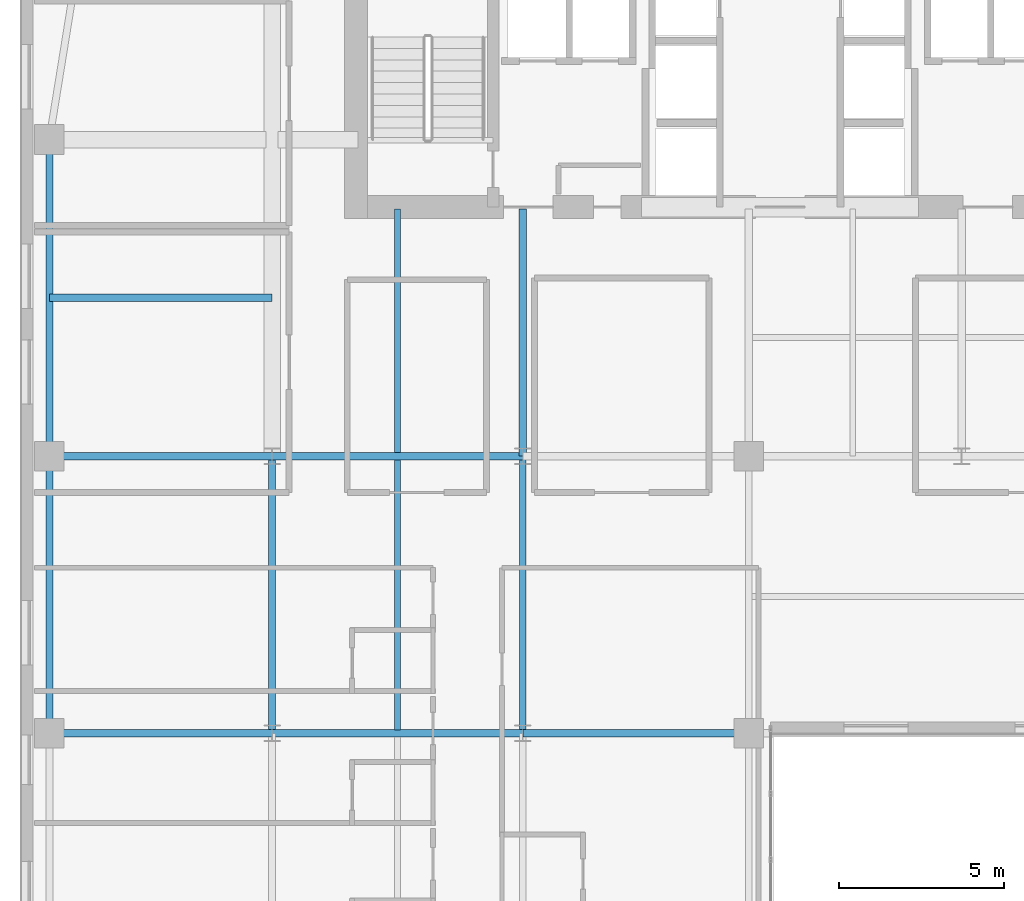
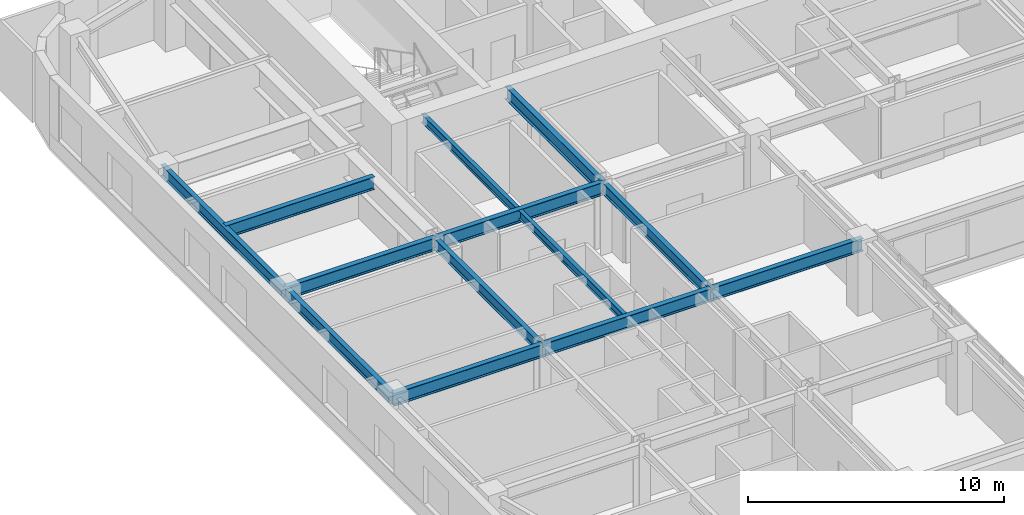
# One storey, part 4 of 25: 13 beams.
"""IFC4 building model written with IfcOpenShell, lengths in metres."""

from ifc_helpers import new_model, si_unit, direction, frame, origin, origin_2d, place, context, subcontext, project, spatial, i_section, extrude, source, transform, mapped, material, material_profile, profile_set, type_object, type_shapes, element, save


model = new_model("IFC4")

# Units and contexts
model_context = context("Model", 3, precision=1e-05, world=origin(), true_north=direction((0.0, 1.0)))
body_context = subcontext(model_context, "Body", "Model", "MODEL_VIEW")
ifc_project = project(units=[si_unit("LENGTHUNIT", "METRE"), si_unit("AREAUNIT", "SQUARE_METRE"), si_unit("VOLUMEUNIT", "CUBIC_METRE"), si_unit("PLANEANGLEUNIT", "RADIAN"), si_unit("MASSUNIT", "GRAM", prefix="KILO")], contexts=[model_context])

# Site, building, storey
site_placement = place(None, origin())
site = spatial("IfcSite", under=ifc_project, at=site_placement, CompositionType="ELEMENT")
building_placement = place(site_placement, origin())
building = spatial("IfcBuilding", under=site, at=building_placement, Name="Tolvann Quenvar Hotel", CompositionType="ELEMENT")
storey_placement = place(building_placement, frame((0.0, 0.0, 111.550048828125)))
storey = spatial("IfcBuildingStorey", under=building, at=storey_placement, Name="L28", CompositionType="ELEMENT", Elevation=111.550048828125)

# Beams
ifc_material = material(Name="Steel Grade 350", Category="steel")
ifc_material_profile_1 = material_profile(ifc_material, i_section(OverallWidth=0.22900390625, OverallDepth=0.612060546875, WebThickness=0.011962890625, FlangeThickness=0.01953125, FilletRadius=0.013916015625, at=origin_2d()), Name="610UB125")
ifc_profile_set_1 = profile_set([ifc_material_profile_1], Name="Steel Grade 350")
beam_type_1 = type_object("IfcBeamType", Name="BM_GIRD_610UB125", PredefinedType="BEAM", material=ifc_profile_set_1)
shared_shape_1 = source(origin(), body_context, "Body", "SweptSolid", [
    extrude(i_section(OverallWidth=0.22900390625, OverallDepth=0.612060546875, WebThickness=0.011962890625, FlangeThickness=0.01953125, FilletRadius=0.013916015625, at=origin_2d()), origin(), (0.0, 0.0, 1.0), 6.75),
])
for number, where, z_axis, x_axis, name in (
    (1, (0.85009765625, 16.0, 3.06396484375), (1.0, 0.0, 0.0), (0.0, 1.0, 0.0), "BM-L28-EW-4-B4-C4"),
    (2, (0.85009765625, 24.39990234375, 3.06396484375), (1.0, 0.0, 0.0), (0.0, 1.0, 0.0), "BM-L28-EW-5-B5-C5"),
    (3, (0.85009765625, 29.199951171875, 3.06396484375), (1.0, 0.0, 0.0), (0.0, 1.0, 0.0), "BM-L28-EW-BC29"),
):
    element("IfcBeam", number, at=place(storey_placement, frame(where, z_axis=z_axis, x_axis=x_axis)), inside=storey, type_object=beam_type_1, Name=name, PredefinedType="BEAM", context=body_context, shape_type="MappedRepresentation", body=[
        mapped(shared_shape_1, transform((0.0, 0.0, 0.0), x_axis=(1.0, 0.0, 0.0), y_axis=(0.0, 1.0, 0.0), z_axis=(0.0, 0.0, 1.0), scale=1.0)),
    ])
shared_shape_2 = source(origin(), body_context, "Body", "SweptSolid", [
    extrude(i_section(OverallWidth=0.22900390625, OverallDepth=0.612060546875, WebThickness=0.011962890625, FlangeThickness=0.01953125, FilletRadius=0.013916015625, at=origin_2d()), origin(), (0.0, 0.0, 1.0), 7.599853515625),
])
for number, where, z_axis, x_axis, name in (
    (4, (7.60009765625, 16.0, 3.06396484375), (1.0, 0.0, 0.0), (0.0, 1.0, 0.0), "BM-L28-EW-4-C4-D4"),
    (5, (7.60009765625, 24.39990234375, 3.06396484375), (1.0, 0.0, 0.0), (0.0, 1.0, 0.0), "BM-L28-EW-5-C5-D5"),
):
    element("IfcBeam", number, at=place(storey_placement, frame(where, z_axis=z_axis, x_axis=x_axis)), inside=storey, type_object=beam_type_1, Name=name, PredefinedType="BEAM", context=body_context, shape_type="MappedRepresentation", body=[
        mapped(shared_shape_2, transform((0.0, 0.0, 0.0), x_axis=(1.0, 0.0, 0.0), y_axis=(0.0, 1.0, 0.0), z_axis=(0.0, 0.0, 1.0), scale=1.0)),
    ])
shared_shape_3 = source(origin(), body_context, "Body", "SweptSolid", [
    extrude(i_section(OverallWidth=0.22900390625, OverallDepth=0.612060546875, WebThickness=0.011962890625, FlangeThickness=0.01953125, FilletRadius=0.013916015625, at=origin_2d()), origin(), (0.0, 0.0, 1.0), 6.85009765625),
])
beam_1_placement = place(storey_placement, frame((15.199951171875, 16.0, 3.06396484375), z_axis=(1.0, 0.0, 0.0), x_axis=(0.0, 1.0, 0.0)))
element("IfcBeam", 6, at=beam_1_placement, inside=storey, type_object=beam_type_1, Name="BM-L28-EW-4-D4-E4", PredefinedType="BEAM", context=body_context, shape_type="MappedRepresentation", body=[
    mapped(shared_shape_3, transform((0.0, 0.0, 0.0), x_axis=(1.0, 0.0, 0.0), y_axis=(0.0, 1.0, 0.0), z_axis=(0.0, 0.0, 1.0), scale=1.0)),
])
ifc_material_profile_2 = material_profile(ifc_material, i_section(OverallWidth=0.208984375, OverallDepth=0.528076171875, WebThickness=0.009521484375, FlangeThickness=0.01318359375, FilletRadius=0.013916015625, at=origin_2d()), Name="530UB82")
ifc_profile_set_2 = profile_set([ifc_material_profile_2], Name="Steel Grade 350")
beam_type_2 = type_object("IfcBeamType", Name="BM_SPAND_530UB82", PredefinedType="SPANDREL", material=ifc_profile_set_2)
shared_shape_4 = source(origin(), body_context, "Body", "SweptSolid", [
    extrude(i_section(OverallWidth=0.208984375, OverallDepth=0.528076171875, WebThickness=0.009521484375, FlangeThickness=0.01318359375, FilletRadius=0.013916015625, at=origin_2d()), origin(), (0.0, 0.0, 1.0), 8.39990234375),
])
beam_2_placement = place(storey_placement, frame((0.85009765625, 16.0, 3.10595703125), z_axis=(0.0, 1.0, 0.0), x_axis=(-1.0, 0.0, 0.0)))
element("IfcBeam", 7, at=beam_2_placement, inside=storey, type_object=beam_type_2, Name="BM-L28-NS-B4-B5", PredefinedType="SPANDREL", context=body_context, shape_type="MappedRepresentation", body=[
    mapped(shared_shape_4, transform((0.0, 0.0, 0.0), x_axis=(1.0, 0.0, 0.0), y_axis=(0.0, 1.0, 0.0), z_axis=(0.0, 0.0, 1.0), scale=1.0)),
])
ifc_material_profile_3 = material_profile(ifc_material, i_section(OverallWidth=0.208984375, OverallDepth=0.532958984375, WebThickness=0.01025390625, FlangeThickness=0.015625, FilletRadius=0.013916015625, at=origin_2d()), Name="530UB92")
ifc_profile_set_3 = profile_set([ifc_material_profile_3], Name="Steel Grade 350")
beam_type_3 = type_object("IfcBeamType", Name="BM_GIRD_530UB92", PredefinedType="BEAM", material=ifc_profile_set_3)
shared_shape_5 = source(origin(), body_context, "Body", "SweptSolid", [
    extrude(i_section(OverallWidth=0.208984375, OverallDepth=0.532958984375, WebThickness=0.01025390625, FlangeThickness=0.015625, FilletRadius=0.013916015625, at=origin_2d()), origin(), (0.0, 0.0, 1.0), 8.39990234375),
])
type_shapes(beam_type_3, [shared_shape_5])
for number, where, z_axis, x_axis, name in (
    (8, (7.60009765625, 16.0, 3.103515625), (0.0, 1.0, 0.0), (-1.0, 0.0, 0.0), "BM-L28-NS-C4-C5"),
    (9, (15.199951171875, 16.0, 3.103515625), (0.0, 1.0, 0.0), (-1.0, 0.0, 0.0), "BM-L28-NS-D4-D5"),
):
    element("IfcBeam", number, at=place(storey_placement, frame(where, z_axis=z_axis, x_axis=x_axis)), inside=storey, type_object=beam_type_3, Name=name, PredefinedType="BEAM", context=body_context, shape_type="MappedRepresentation", body=[
        mapped(shared_shape_5, transform((0.0, 0.0, 0.0), x_axis=(1.0, 0.0, 0.0), y_axis=(0.0, 1.0, 0.0), z_axis=(0.0, 0.0, 1.0), scale=1.0)),
    ])
shared_shape_6 = source(origin(), body_context, "Body", "SweptSolid", [
    extrude(i_section(OverallWidth=0.22900390625, OverallDepth=0.612060546875, WebThickness=0.011962890625, FlangeThickness=0.01953125, FilletRadius=0.013916015625, at=origin_2d()), origin(), (0.0, 0.0, 1.0), 7.5),
])
type_shapes(beam_type_1, [shared_shape_1, shared_shape_2, shared_shape_3, shared_shape_6])
beam_3_placement = place(storey_placement, frame((15.199951171875, 24.39990234375, 3.06396484375), z_axis=(0.0, 1.0, 0.0), x_axis=(-1.0, 0.0, 0.0)))
element("IfcBeam", 10, at=beam_3_placement, inside=storey, type_object=beam_type_1, Name="BM-L28-CORE-D5", PredefinedType="BEAM", context=body_context, shape_type="MappedRepresentation", body=[
    mapped(shared_shape_6, transform((0.0, 0.0, 0.0), x_axis=(1.0, 0.0, 0.0), y_axis=(0.0, 1.0, 0.0), z_axis=(0.0, 0.0, 1.0), scale=1.0)),
])
shared_shape_7 = source(origin(), body_context, "Body", "SweptSolid", [
    extrude(i_section(OverallWidth=0.208984375, OverallDepth=0.528076171875, WebThickness=0.009521484375, FlangeThickness=0.01318359375, FilletRadius=0.013916015625, at=origin_2d()), origin(), (0.0, 0.0, 1.0), 9.60009765625),
])
type_shapes(beam_type_2, [shared_shape_4, shared_shape_7])
beam_4_placement = place(storey_placement, frame((0.85009765625, 24.39990234375, 3.10595703125), z_axis=(0.0, 1.0, 0.0), x_axis=(-1.0, 0.0, 0.0)))
element("IfcBeam", 11, at=beam_4_placement, inside=storey, type_object=beam_type_2, Name="BM-L28-FLK-W1", PredefinedType="SPANDREL", context=body_context, shape_type="MappedRepresentation", body=[
    mapped(shared_shape_7, transform((0.0, 0.0, 0.0), x_axis=(1.0, 0.0, 0.0), y_axis=(0.0, 1.0, 0.0), z_axis=(0.0, 0.0, 1.0), scale=1.0)),
])
ifc_material_profile_4 = material_profile(ifc_material, i_section(OverallWidth=0.177978515625, OverallDepth=0.406005859375, WebThickness=0.0078125, FlangeThickness=0.0126953125, FilletRadius=0.011474609375, at=origin_2d()), Name="410UB60")
ifc_profile_set_4 = profile_set([ifc_material_profile_4], Name="Steel Grade 350")
beam_type_4 = type_object("IfcBeamType", Name="BM_JOIST_410UB60", PredefinedType="JOIST", material=ifc_profile_set_4)
shared_shape_8 = source(origin(), body_context, "Body", "SweptSolid", [
    extrude(i_section(OverallWidth=0.177978515625, OverallDepth=0.406005859375, WebThickness=0.0078125, FlangeThickness=0.0126953125, FilletRadius=0.011474609375, at=origin_2d()), origin(), (0.0, 0.0, 1.0), 8.18310546875),
])
beam_5_placement = place(storey_placement, frame((11.39990234375, 16.1083984375, 3.1669921875), z_axis=(0.0, 1.0, 0.0), x_axis=(-1.0, 0.0, 0.0)))
element("IfcBeam", 12, at=beam_5_placement, inside=storey, type_object=beam_type_4, Name="BJ-L28-114-160", PredefinedType="JOIST", context=body_context, shape_type="MappedRepresentation", body=[
    mapped(shared_shape_8, transform((0.0, 0.0, 0.0), x_axis=(1.0, 0.0, 0.0), y_axis=(0.0, 1.0, 0.0), z_axis=(0.0, 0.0, 1.0), scale=1.0)),
])
shared_shape_9 = source(origin(), body_context, "Body", "SweptSolid", [
    extrude(i_section(OverallWidth=0.177978515625, OverallDepth=0.406005859375, WebThickness=0.0078125, FlangeThickness=0.0126953125, FilletRadius=0.011474609375, at=origin_2d()), origin(), (0.0, 0.0, 1.0), 7.391357421875),
])
type_shapes(beam_type_4, [shared_shape_8, shared_shape_9])
beam_6_placement = place(storey_placement, frame((11.39990234375, 24.508544921875, 3.1669921875), z_axis=(0.0, 1.0, 0.0), x_axis=(-1.0, 0.0, 0.0)))
element("IfcBeam", 13, at=beam_6_placement, inside=storey, type_object=beam_type_4, Name="BJ-L28-114-244", PredefinedType="JOIST", context=body_context, shape_type="MappedRepresentation", body=[
    mapped(shared_shape_9, transform((0.0, 0.0, 0.0), x_axis=(1.0, 0.0, 0.0), y_axis=(0.0, 1.0, 0.0), z_axis=(0.0, 0.0, 1.0), scale=1.0)),
])

save(model, "model.ifc")
